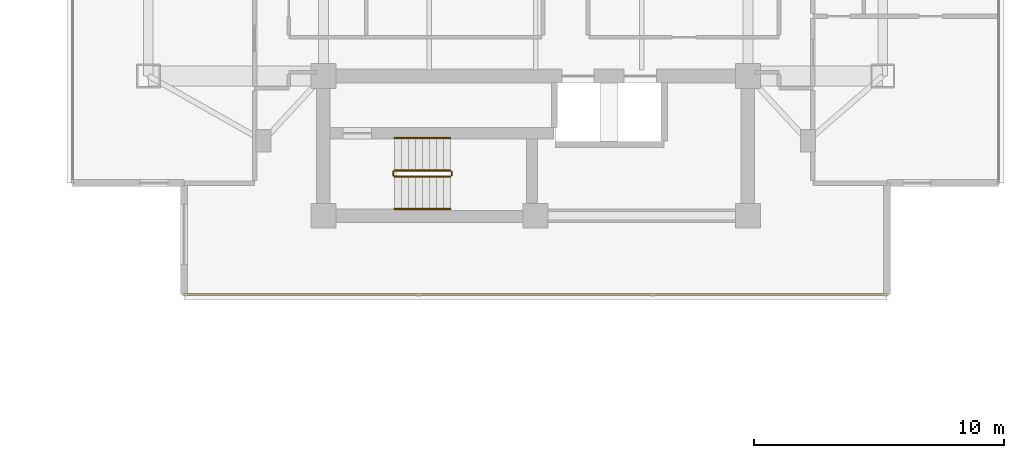
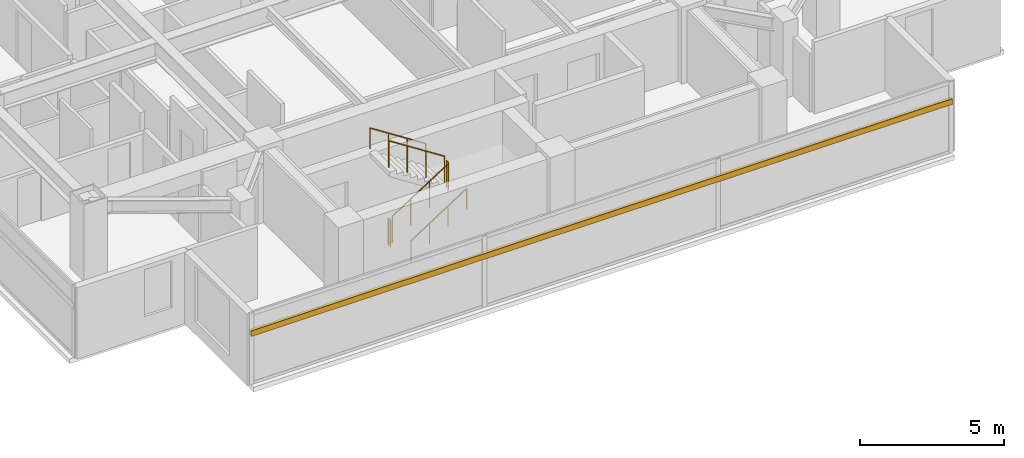
# One storey, part 23 of 25: 6 railings, 1 shading device.
"""IFC4 building model written with IfcOpenShell, lengths in metres."""

from ifc_helpers import new_model, si_unit, direction, frame, origin, origin_2d, place, context, subcontext, project, spatial, rectangle, circle, extrude, material, material_profile, profile_set, type_object, element, save


model = new_model("IFC4")

# Units and contexts
model_context = context("Model", 3, precision=1e-05, world=origin(), true_north=direction((0.0, 1.0)))
body_context = subcontext(model_context, "Body", "Model", "MODEL_VIEW")
ifc_project = project(units=[si_unit("LENGTHUNIT", "METRE"), si_unit("AREAUNIT", "SQUARE_METRE"), si_unit("VOLUMEUNIT", "CUBIC_METRE"), si_unit("PLANEANGLEUNIT", "RADIAN"), si_unit("MASSUNIT", "GRAM", prefix="KILO")], contexts=[model_context])

# Site, building, storey
site_placement = place(None, origin())
site = spatial("IfcSite", under=ifc_project, at=site_placement, CompositionType="ELEMENT")
building_placement = place(site_placement, origin())
building = spatial("IfcBuilding", under=site, at=building_placement, Name="Mirazonda Arch Towers", CompositionType="ELEMENT")
storey_placement = place(building_placement, frame((0.0, 0.0, 180.39990234375)))
storey = spatial("IfcBuildingStorey", under=building, at=storey_placement, Name="L51", CompositionType="ELEMENT", Elevation=180.39990234375)

# Shading device
ifc_material_1 = material(Name="Kiln-Fired Architectural Terracotta", Category="masonry")
ifc_material_profile = material_profile(ifc_material_1, rectangle(XDim=0.1201171875, YDim=0.239990234375, at=origin_2d()), Name="TERRA-BAG-120x240")
ifc_profile_set = profile_set([ifc_material_profile], Name="Kiln-Fired Architectural Terracotta")
shading_device_type = type_object("IfcShadingDeviceType", Name="BAGUETTE-1", PredefinedType="USERDEFINED", material=ifc_profile_set)
shading_device_placement = place(storey_placement, frame((90.5712890625, 12.0419921875, 2.181640625), z_axis=(-1.0, 0.0, 0.0), x_axis=(0.0, -1.0, 0.0)))
element("IfcShadingDevice", 1, at=shading_device_placement, inside=storey, type_object=shading_device_type, Name="L51 Glazed Terracotta Sun-Screen Baguette CW-L51-T2-S", ObjectType="BAGUETTE", PredefinedType="USERDEFINED", context=body_context, shape_type="SweptSolid", body=[
    extrude(rectangle(XDim=0.1201171875, YDim=0.239990234375, at=origin_2d()), origin(), (0.0, 0.0, 1.0), 28.142578125),
])

# Railings
ifc_material_2 = material(Name="Architectural Brushed Steel S355", Category="steel")
railing_type_1 = type_object("IfcRailingType", Name="GUARD-STAIR-1120", PredefinedType="GUARDRAIL", material=ifc_material_2)
railing_1_placement = place(storey_placement, frame((70.85009765625, 16.77001953125, 0.1806640625)))
element("IfcRailing", 2, at=railing_1_placement, inside=storey, type_object=railing_type_1, Name="L51 ST-T2S stair guard 1", PredefinedType="GUARDRAIL", context=body_context, shape_type="SweptSolid", body=[
    extrude(circle(Radius=0.02392578125, at=origin_2d()), frame((0.0, 0.0, 1.1259765625), z_axis=(0.840436612492, 0.0, 0.541909863706), x_axis=(0.0, 1.0, 0.0)), (0.0, 0.0, 1.0), 2.665283203125),
    extrude(circle(Radius=0.02099609375, at=origin_2d()), origin(), (0.0, 0.0, 1.0), 1.101806640625),
    extrude(circle(Radius=0.02099609375, at=origin_2d()), frame((0.74658203125, 0.0, 0.4814453125)), (0.0, 0.0, 1.0), 1.101806640625),
    extrude(circle(Radius=0.02099609375, at=origin_2d()), frame((1.493408203125, 0.0, 0.962890625)), (0.0, 0.0, 1.0), 1.101806640625),
    extrude(circle(Radius=0.02099609375, at=origin_2d()), frame((2.239990234375, 0.0, 1.4443359375)), (0.0, 0.0, 1.0), 1.101806640625),
])
railing_2_placement = place(storey_placement, frame((73.139892578125, 16.820068359375, 1.625)))
element("IfcRailing", 3, at=railing_2_placement, inside=storey, type_object=railing_type_1, Name="L51 ST-T2S stair guard 2", PredefinedType="GUARDRAIL", context=body_context, shape_type="SweptSolid", body=[
    extrude(circle(Radius=0.02392578125, at=origin_2d()), frame((0.0, 0.0, 1.1259765625), z_axis=(0.0, 1.0, 0.0), x_axis=(-1.0, 0.0, 0.0)), (0.0, 0.0, 1.0), 0.139892578125),
    extrude(circle(Radius=0.02099609375, at=origin_2d()), origin(), (0.0, 0.0, 1.0), 1.101806640625),
    extrude(circle(Radius=0.02099609375, at=origin_2d()), frame((0.0, 0.139892578125, 0.0)), (0.0, 0.0, 1.0), 1.101806640625),
])
railing_3_placement = place(storey_placement, frame((73.090087890625, 17.010009765625, 1.8056640625)))
element("IfcRailing", 4, at=railing_3_placement, inside=storey, type_object=railing_type_1, Name="L51 ST-T2S stair guard 3", PredefinedType="GUARDRAIL", context=body_context, shape_type="SweptSolid", body=[
    extrude(circle(Radius=0.02392578125, at=origin_2d()), frame((0.0, 0.0, 1.1259765625), z_axis=(-0.840436612492, 0.0, 0.541909863706), x_axis=(0.0, -1.0, 0.0)), (0.0, 0.0, 1.0), 2.665283203125),
    extrude(circle(Radius=0.02099609375, at=origin_2d()), origin(), (0.0, 0.0, 1.0), 1.101806640625),
    extrude(circle(Radius=0.02099609375, at=origin_2d()), frame((-0.74658203125, 0.0, 0.4814453125)), (0.0, 0.0, 1.0), 1.101806640625),
    extrude(circle(Radius=0.02099609375, at=origin_2d()), frame((-1.493408203125, 0.0, 0.962890625)), (0.0, 0.0, 1.0), 1.101806640625),
    extrude(circle(Radius=0.02099609375, at=origin_2d()), frame((-2.239990234375, 0.0, 1.4443359375)), (0.0, 0.0, 1.0), 1.101806640625),
])
railing_4_placement = place(storey_placement, frame((70.800048828125, 16.820068359375, 0.0)))
element("IfcRailing", 5, at=railing_4_placement, inside=storey, type_object=railing_type_1, Name="L51 ST-T2S stair guard 4", PredefinedType="GUARDRAIL", context=body_context, shape_type="SweptSolid", body=[
    extrude(circle(Radius=0.02392578125, at=origin_2d()), frame((0.0, 0.0, 1.1259765625), z_axis=(0.0, 1.0, 0.0), x_axis=(-1.0, 0.0, 0.0)), (0.0, 0.0, 1.0), 0.139892578125),
    extrude(circle(Radius=0.02099609375, at=origin_2d()), origin(), (0.0, 0.0, 1.0), 1.101806640625),
    extrude(circle(Radius=0.02099609375, at=origin_2d()), frame((0.0, 0.139892578125, 0.0)), (0.0, 0.0, 1.0), 1.101806640625),
])
railing_type_2 = type_object("IfcRailingType", Name="HANDRAIL-915", PredefinedType="HANDRAIL", material=ifc_material_2)
railing_5_placement = place(storey_placement, frame((70.85009765625, 15.469970703125, 0.1806640625)))
element("IfcRailing", 6, at=railing_5_placement, inside=storey, type_object=railing_type_2, Name="L51 ST-T2S stair handrail 1", PredefinedType="HANDRAIL", context=body_context, shape_type="SweptSolid", body=[
    extrude(circle(Radius=0.02392578125, at=origin_2d()), frame((0.0, 0.0, 0.8759765625), z_axis=(0.840436612492, 0.0, 0.541909863706), x_axis=(0.0, 1.0, 0.0)), (0.0, 0.0, 1.0), 2.665283203125),
    extrude(circle(Radius=0.02099609375, at=origin_2d()), origin(), (0.0, 0.0, 1.0), 0.851806640625),
    extrude(circle(Radius=0.02099609375, at=origin_2d()), frame((0.74658203125, 0.0, 0.4814453125)), (0.0, 0.0, 1.0), 0.851806640625),
    extrude(circle(Radius=0.02099609375, at=origin_2d()), frame((1.493408203125, 0.0, 0.962890625)), (0.0, 0.0, 1.0), 0.851806640625),
    extrude(circle(Radius=0.02099609375, at=origin_2d()), frame((2.239990234375, 0.0, 1.4443359375)), (0.0, 0.0, 1.0), 0.851806640625),
])
railing_6_placement = place(storey_placement, frame((73.090087890625, 18.31005859375, 1.8056640625)))
element("IfcRailing", 7, at=railing_6_placement, inside=storey, type_object=railing_type_2, Name="L51 ST-T2S stair handrail 2", PredefinedType="HANDRAIL", context=body_context, shape_type="SweptSolid", body=[
    extrude(circle(Radius=0.02392578125, at=origin_2d()), frame((0.0, 0.0, 0.8759765625), z_axis=(-0.840436612492, 0.0, 0.541909863706), x_axis=(0.0, -1.0, 0.0)), (0.0, 0.0, 1.0), 2.665283203125),
    extrude(circle(Radius=0.02099609375, at=origin_2d()), origin(), (0.0, 0.0, 1.0), 0.851806640625),
    extrude(circle(Radius=0.02099609375, at=origin_2d()), frame((-0.74658203125, 0.0, 0.4814453125)), (0.0, 0.0, 1.0), 0.851806640625),
    extrude(circle(Radius=0.02099609375, at=origin_2d()), frame((-1.493408203125, 0.0, 0.962890625)), (0.0, 0.0, 1.0), 0.851806640625),
    extrude(circle(Radius=0.02099609375, at=origin_2d()), frame((-2.239990234375, 0.0, 1.4443359375)), (0.0, 0.0, 1.0), 0.851806640625),
])

save(model, "model.ifc")
